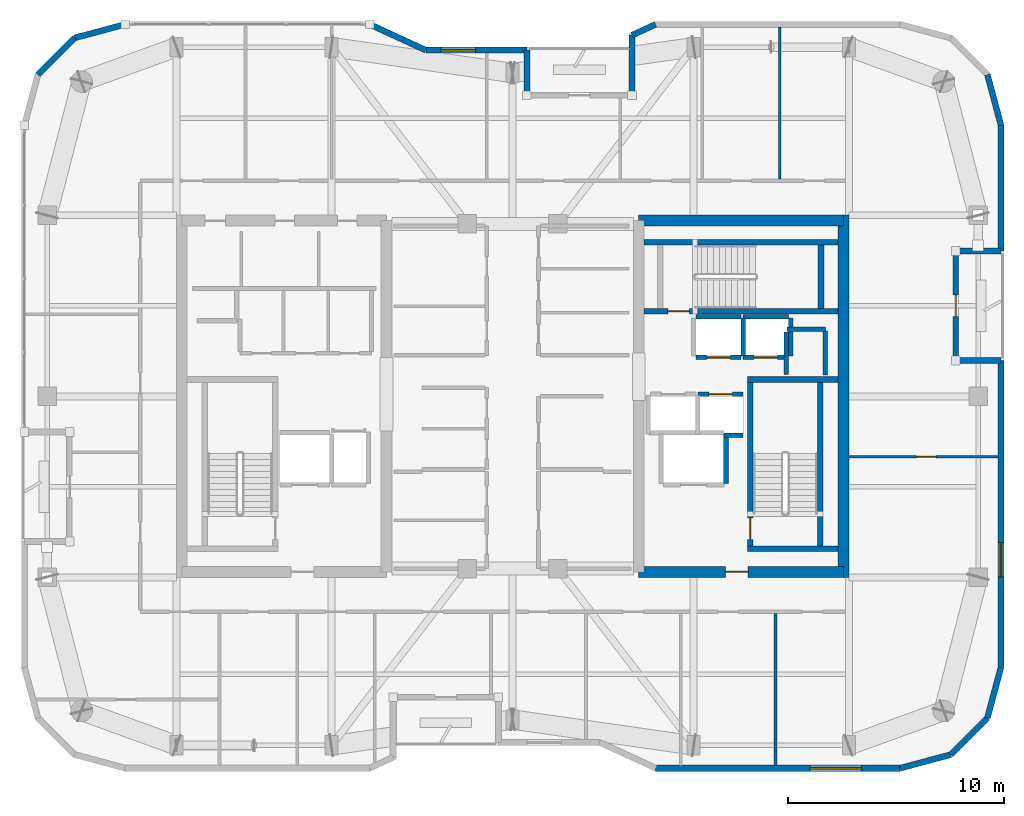
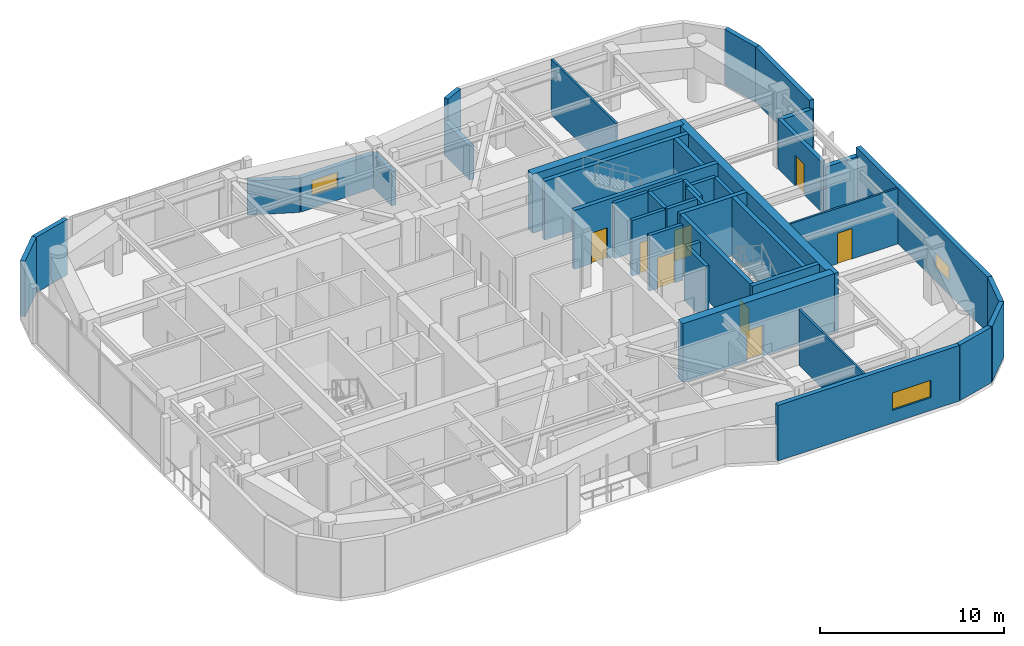
# One storey, part 13 of 16: 42 walls, 8 doors, 3 windows, 11 openings.
"""IFC4 building model written with IfcOpenShell, lengths in metres."""

from ifc_helpers import new_model, si_unit, direction, frame, frame_2d, origin, place, context, subcontext, project, spatial, rectangle, extrude, material, layer, layer_set, type_object, element, fill, save


model = new_model("IFC4")

# Units and contexts
model_context = context("Model", 3, precision=1e-05, world=origin(), true_north=direction((0.0, 1.0)))
body_context = subcontext(model_context, "Body", "Model", "MODEL_VIEW")
ifc_project = project(units=[si_unit("LENGTHUNIT", "METRE"), si_unit("AREAUNIT", "SQUARE_METRE"), si_unit("VOLUMEUNIT", "CUBIC_METRE"), si_unit("PLANEANGLEUNIT", "RADIAN"), si_unit("MASSUNIT", "GRAM", prefix="KILO")], contexts=[model_context])

# Site, building, storey
site_placement = place(None, origin())
site = spatial("IfcSite", under=ifc_project, at=site_placement, CompositionType="ELEMENT")
building_placement = place(site_placement, origin())
building = spatial("IfcBuilding", under=site, at=building_placement, Name="Kiyonajd Concourse Tower", CompositionType="ELEMENT")
storey_placement = place(building_placement, frame((0.0, 0.0, 306.300048828125)))
storey = spatial("IfcBuildingStorey", under=building, at=storey_placement, Name="L77", CompositionType="ELEMENT", Elevation=306.300048828125)

# Wall
ifc_material_1 = material(Name="Concrete C60/75", Category="concrete")
ifc_layer_1 = layer(ifc_material_1, 0.5)
ifc_layer_set_1 = layer_set([ifc_layer_1], Name="Concrete C60/75")
wall_type_1 = type_object("IfcWallType", Name="WL-CORE-500", PredefinedType="SHEAR", material=ifc_layer_set_1)
wall_1_placement = place(storey_placement, frame((63.35009765625, 27.60009765625, 0.0), z_axis=(0.0, 0.0, 1.0), x_axis=(0.0, 1.0, 0.0)))
element("IfcWall", 1, at=wall_1_placement, inside=storey, type_object=wall_type_1, Name="L77 East Core Outer Shear Wall", PredefinedType="SHEAR", context=body_context, shape_type="SweptSolid", body=[
    extrude(rectangle(XDim=16.7998046875, YDim=0.5, at=frame_2d((8.39990234375, 0.0))), origin(), (0.0, 0.0, 1.0), 3.89990234375),
])

# Wall, opening, door
wall_2_placement = place(storey_placement, frame((53.85009765625, 27.85009765625, 0.0), z_axis=(0.0, 0.0, 1.0), x_axis=(1.0, 0.0, 0.0)))
wall_2 = element("IfcWall", 2, at=wall_2_placement, inside=storey, type_object=wall_type_1, Name="L77 East Core South Shear Wall", PredefinedType="SHEAR", context=body_context, shape_type="SweptSolid", body=[
    extrude(rectangle(XDim=9.5, YDim=0.5, at=frame_2d((4.75, 0.0))), origin(), (0.0, 0.0, 1.0), 3.89990234375),
])
opening_1_placement = place(wall_2_placement, frame((4.02490234375, 0.0, 0.0)))
opening_1 = element("IfcOpeningElement", 3, at=opening_1_placement, cuts=wall_2, Name="Opening DF5", PredefinedType="OPENING", context=body_context, shape_type="SweptSolid", body=[
    extrude(rectangle(XDim=1.050048828125, YDim=2.0400390625, at=frame_2d((0.52490234375, 1.02001953125))), frame((0.0, 0.260009765625, 0.0), z_axis=(0.0, -1.0, 0.0), x_axis=(1.0, 0.0, 0.0)), (0.0, 0.0, 1.0), 0.52001953125),
])
ifc_material_2 = material(Name="Brushed Stainless Steel Cab Assembly", Category="steel")
door_type_1 = type_object("IfcDoorType", Name="DR-FD45-1050", OperationType="NOTDEFINED", PredefinedType="DOOR", material=ifc_material_2)
door_1_placement = place(opening_1_placement, origin())
door_1 = element("IfcDoor", 4, at=door_1_placement, inside=storey, type_object=door_type_1, Name="L77 Firefighting Lift Lobby E Smoke Door", OperationType="SINGLE_SWING_RIGHT", OverallHeight=2.0400390625, OverallWidth=1.050048828125, PredefinedType="DOOR", context=body_context, shape_type="SweptSolid", body=[
    extrude(rectangle(XDim=1.050048828125, YDim=2.0400390625, at=frame_2d((0.52490234375, 1.02001953125))), frame((0.0, 0.02490234375, 0.0), z_axis=(0.0, -1.0, 0.0), x_axis=(1.0, 0.0, 0.0)), (0.0, 0.0, 1.0), 0.050048828125),
])
fill(opening_1, door_1)

# Walls
wall_3_placement = place(storey_placement, frame((53.85009765625, 44.14990234375, 0.0), z_axis=(0.0, 0.0, 1.0), x_axis=(1.0, 0.0, 0.0)))
element("IfcWall", 5, at=wall_3_placement, inside=storey, type_object=wall_type_1, Name="L77 East Core North Shear Wall", PredefinedType="SHEAR", context=body_context, shape_type="SweptSolid", body=[
    extrude(rectangle(XDim=9.5, YDim=0.5, at=frame_2d((4.75, 0.0))), origin(), (0.0, 0.0, 1.0), 3.89990234375),
])
ifc_material_3 = material(Name="Precast concrete C50/60", Category="concrete")
ifc_layer_2 = layer(ifc_material_3, 0.280029296875)
ifc_layer_set_2 = layer_set([ifc_layer_2], Name="Precast concrete C50/60")
wall_type_2 = type_object("IfcWallType", Name="WL-EXT-280", PredefinedType="SOLIDWALL", material=ifc_layer_set_2)
wall_4_placement = place(storey_placement, frame((25.968505859375, 50.927490234375, 0.0), z_axis=(0.0, 0.0, 1.0), x_axis=(0.707106781187, 0.707106781187, 0.0)))
element("IfcWall", 6, at=wall_4_placement, inside=storey, type_object=wall_type_2, Name="L77 Exterior Concrete Frame Wall 07", PredefinedType="SOLIDWALL", context=body_context, shape_type="SweptSolid", body=[
    extrude(rectangle(XDim=2.409912109375, YDim=0.280029296875, at=frame_2d((1.205078125, 0.0))), origin(), (0.0, 0.0, 1.0), 3.679931640625),
])
wall_5_placement = place(storey_placement, frame((27.672607421875, 52.631591796875, 0.0), z_axis=(0.0, 0.0, 1.0), x_axis=(0.965937282298, 0.25877628691, 0.0)))
element("IfcWall", 7, at=wall_5_placement, inside=storey, type_object=wall_type_2, Name="L77 Exterior Concrete Frame Wall 08", PredefinedType="SOLIDWALL", context=body_context, shape_type="SweptSolid", body=[
    extrude(rectangle(XDim=2.428466796875, YDim=0.280029296875, at=frame_2d((1.21435546875, 0.0))), origin(), (0.0, 0.0, 1.0), 3.679931640625),
])
wall_6_placement = place(storey_placement, frame((41.369384765625, 53.260009765625, 0.0), z_axis=(0.0, 0.0, 1.0), x_axis=(0.907956889006, -0.419063584324, 0.0)))
element("IfcWall", 8, at=wall_6_placement, inside=storey, type_object=wall_type_2, Name="L77 Exterior Concrete Frame Wall 10", PredefinedType="SOLIDWALL", context=body_context, shape_type="SweptSolid", body=[
    extrude(rectangle(XDim=2.863525390625, YDim=0.280029296875, at=frame_2d((1.431640625, 0.0))), origin(), (0.0, 0.0, 1.0), 2.264892578125),
])

# Wall, opening, window
wall_7_placement = place(storey_placement, frame((43.96923828125, 52.06005859375, 0.0), z_axis=(0.0, 0.0, 1.0), x_axis=(1.0, 0.0, 0.0)))
wall_7 = element("IfcWall", 9, at=wall_7_placement, inside=storey, type_object=wall_type_2, Name="L77 Exterior Concrete Frame Wall 11", PredefinedType="SOLIDWALL", context=body_context, shape_type="SweptSolid", body=[
    extrude(rectangle(XDim=4.690673828125, YDim=0.280029296875, at=frame_2d((2.34521484375, 0.0))), origin(), (0.0, 0.0, 1.0), 2.264892578125),
])
opening_2_placement = place(wall_7_placement, frame((0.7099609375, 0.0, 0.85009765625)))
opening_2 = element("IfcOpeningElement", 10, at=opening_2_placement, cuts=wall_7, Name="Opening WN6", PredefinedType="OPENING", context=body_context, shape_type="SweptSolid", body=[
    extrude(rectangle(XDim=1.60009765625, YDim=1.0, at=frame_2d((0.800048828125, 0.5))), frame((0.0, 0.14990234375, 0.0), z_axis=(0.0, -1.0, 0.0), x_axis=(1.0, 0.0, 0.0)), (0.0, 0.0, 1.0), 0.300048828125),
])
ifc_material_4 = material(Name="Double Low-E Insulated Glass", Category="glass")
window_type_1 = type_object("IfcWindowType", Name="WN-VIS-1600x1000", PartitioningType="SINGLE_PANEL", PredefinedType="WINDOW", material=ifc_material_4)
window_1_placement = place(opening_2_placement, origin())
window_1 = element("IfcWindow", 11, at=window_1_placement, inside=storey, type_object=window_type_1, Name="L77 Modular Facade Vision Window 11", OverallHeight=1.0, OverallWidth=1.60009765625, PartitioningType="SINGLE_PANEL", PredefinedType="WINDOW", context=body_context, shape_type="SweptSolid", body=[
    extrude(rectangle(XDim=1.60009765625, YDim=1.0, at=frame_2d((0.800048828125, 0.5))), frame((0.0, 0.030029296875, 0.0), z_axis=(0.0, -1.0, 0.0), x_axis=(1.0, 0.0, 0.0)), (0.0, 0.0, 1.0), 0.06005859375),
])
fill(opening_2, window_1)

# Walls
wall_8_placement = place(storey_placement, frame((48.659912109375, 52.06005859375, 0.0), z_axis=(0.0, 0.0, 1.0), x_axis=(0.0, -1.0, 0.0)))
element("IfcWall", 12, at=wall_8_placement, inside=storey, type_object=wall_type_2, Name="L77 Exterior Concrete Frame Wall 12", PredefinedType="SOLIDWALL", context=body_context, shape_type="SweptSolid", body=[
    extrude(rectangle(XDim=2.10009765625, YDim=0.280029296875, at=frame_2d((1.050048828125, 0.0))), origin(), (0.0, 0.0, 1.0), 2.264892578125),
])
wall_9_placement = place(storey_placement, frame((53.5400390625, 49.9599609375, 0.0), z_axis=(0.0, 0.0, 1.0), x_axis=(0.0, 1.0, 0.0)))
element("IfcWall", 13, at=wall_9_placement, inside=storey, type_object=wall_type_2, Name="L77 Exterior Concrete Frame Wall 14", PredefinedType="SOLIDWALL", context=body_context, shape_type="SweptSolid", body=[
    extrude(rectangle(XDim=2.79638671875, YDim=0.280029296875, at=frame_2d((1.398193359375, 0.0))), origin(), (0.0, 0.0, 1.0), 2.264892578125),
])
wall_10_placement = place(storey_placement, frame((53.5400390625, 52.75634765625, 0.0), z_axis=(0.0, 0.0, 1.0), x_axis=(0.907893953211, 0.419199916176, 0.0)))
element("IfcWall", 14, at=wall_10_placement, inside=storey, type_object=wall_type_2, Name="L77 Exterior Concrete Frame Wall 15", PredefinedType="SOLIDWALL", context=body_context, shape_type="SweptSolid", body=[
    extrude(rectangle(XDim=1.201416015625, YDim=0.280029296875, at=frame_2d((0.6005859375, 0.0))), origin(), (0.0, 0.0, 1.0), 3.679931640625),
])
wall_11_placement = place(storey_placement, frame((70.031494140625, 50.927490234375, 0.0), z_axis=(0.0, 0.0, 1.0), x_axis=(0.258751159445, -0.965944013639, 0.0)))
element("IfcWall", 15, at=wall_11_placement, inside=storey, type_object=wall_type_2, Name="L77 Exterior Concrete Frame Wall 19", PredefinedType="SOLIDWALL", context=body_context, shape_type="SweptSolid", body=[
    extrude(rectangle(XDim=2.4287109375, YDim=0.280029296875, at=frame_2d((1.21435546875, 0.0))), origin(), (0.0, 0.0, 1.0), 3.679931640625),
])
wall_12_placement = place(storey_placement, frame((70.659912109375, 48.58154296875, 0.0), z_axis=(0.0, 0.0, 1.0), x_axis=(0.0, -1.0, 0.0)))
element("IfcWall", 16, at=wall_12_placement, inside=storey, type_object=wall_type_2, Name="L77 Exterior Concrete Frame Wall 20", PredefinedType="SOLIDWALL", context=body_context, shape_type="SweptSolid", body=[
    extrude(rectangle(XDim=5.841552734375, YDim=0.280029296875, at=frame_2d((2.9208984375, 0.0))), origin(), (0.0, 0.0, 1.0), 3.679931640625),
])
for number, where, z_axis, x_axis, name in (
    (17, (70.659912109375, 42.739990234375, 0.0), (0.0, 0.0, 1.0), (-1.0, 0.0, 0.0), "L77 Exterior Concrete Frame Wall 21"),
    (18, (68.56005859375, 37.659912109375, 0.0), (0.0, 0.0, 1.0), (1.0, 0.0, 0.0), "L77 Exterior Concrete Frame Wall 23"),
):
    element("IfcWall", number, at=place(storey_placement, frame(where, z_axis=z_axis, x_axis=x_axis)), inside=storey, type_object=wall_type_2, Name=name, PredefinedType="SOLIDWALL", context=body_context, shape_type="SweptSolid", body=[
        extrude(rectangle(XDim=2.099853515625, YDim=0.280029296875, at=frame_2d((1.0498046875, 0.0))), origin(), (0.0, 0.0, 1.0), 3.1259765625),
    ])

# Wall, opening, window
wall_13_placement = place(storey_placement, frame((70.659912109375, 37.659912109375, 0.0), z_axis=(0.0, 0.0, 1.0), x_axis=(0.0, -1.0, 0.0)))
wall_13 = element("IfcWall", 19, at=wall_13_placement, inside=storey, type_object=wall_type_2, Name="L77 Exterior Concrete Frame Wall 24", PredefinedType="SOLIDWALL", context=body_context, shape_type="SweptSolid", body=[
    extrude(rectangle(XDim=14.241455078125, YDim=0.280029296875, at=frame_2d((7.12060546875, 0.0))), origin(), (0.0, 0.0, 1.0), 3.679931640625),
])
opening_3_placement = place(wall_13_placement, frame((8.4560546875, 0.0, 0.85009765625)))
opening_3 = element("IfcOpeningElement", 20, at=opening_3_placement, cuts=wall_13, Name="Opening WN6", PredefinedType="OPENING", context=body_context, shape_type="SweptSolid", body=[
    extrude(rectangle(XDim=1.60009765625, YDim=1.0, at=frame_2d((0.800048828125, 0.5))), frame((0.0, 0.14990234375, 0.0), z_axis=(0.0, -1.0, 0.0), x_axis=(1.0, 0.0, 0.0)), (0.0, 0.0, 1.0), 0.300048828125),
])
window_2_placement = place(opening_3_placement, origin())
window_2 = element("IfcWindow", 21, at=window_2_placement, inside=storey, type_object=window_type_1, Name="L77 Modular Facade Vision Window 24", OverallHeight=1.0, OverallWidth=1.60009765625, PartitioningType="SINGLE_PANEL", PredefinedType="WINDOW", context=body_context, shape_type="SweptSolid", body=[
    extrude(rectangle(XDim=1.60009765625, YDim=1.0, at=frame_2d((0.800048828125, 0.5))), frame((0.0, 0.030029296875, 0.0), z_axis=(0.0, -1.0, 0.0), x_axis=(1.0, 0.0, 0.0)), (0.0, 0.0, 1.0), 0.06005859375),
])
fill(opening_3, window_2)

# Walls
wall_14_placement = place(storey_placement, frame((70.659912109375, 23.41845703125, 0.0), z_axis=(0.0, 0.0, 1.0), x_axis=(-0.258751159445, -0.965944013639, 0.0)))
element("IfcWall", 22, at=wall_14_placement, inside=storey, type_object=wall_type_2, Name="L77 Exterior Concrete Frame Wall 25", PredefinedType="SOLIDWALL", context=body_context, shape_type="SweptSolid", body=[
    extrude(rectangle(XDim=2.4287109375, YDim=0.280029296875, at=frame_2d((1.21435546875, 0.0))), origin(), (0.0, 0.0, 1.0), 3.679931640625),
])
wall_15_placement = place(storey_placement, frame((70.031494140625, 21.072509765625, 0.0), z_axis=(0.0, 0.0, 1.0), x_axis=(-0.707106781187, -0.707106781187, 0.0)))
element("IfcWall", 23, at=wall_15_placement, inside=storey, type_object=wall_type_2, Name="L77 Exterior Concrete Frame Wall 26", PredefinedType="SOLIDWALL", context=body_context, shape_type="SweptSolid", body=[
    extrude(rectangle(XDim=2.409912109375, YDim=0.280029296875, at=frame_2d((1.205078125, 0.0))), origin(), (0.0, 0.0, 1.0), 3.679931640625),
])
wall_16_placement = place(storey_placement, frame((68.327392578125, 19.368408203125, 0.0), z_axis=(0.0, 0.0, 1.0), x_axis=(-0.965937282298, -0.25877628691, 0.0)))
element("IfcWall", 24, at=wall_16_placement, inside=storey, type_object=wall_type_2, Name="L77 Exterior Concrete Frame Wall 27", PredefinedType="SOLIDWALL", context=body_context, shape_type="SweptSolid", body=[
    extrude(rectangle(XDim=2.428466796875, YDim=0.280029296875, at=frame_2d((1.21435546875, 0.0))), origin(), (0.0, 0.0, 1.0), 3.679931640625),
])

# Wall, opening, window
wall_17_placement = place(storey_placement, frame((65.981689453125, 18.739990234375, 0.0), z_axis=(0.0, 0.0, 1.0), x_axis=(-1.0, 0.0, 0.0)))
wall_17 = element("IfcWall", 25, at=wall_17_placement, inside=storey, type_object=wall_type_2, Name="L77 Exterior Concrete Frame Wall 28", PredefinedType="SOLIDWALL", context=body_context, shape_type="SweptSolid", body=[
    extrude(rectangle(XDim=11.35107421875, YDim=0.280029296875, at=frame_2d((5.675537109375, 0.0))), origin(), (0.0, 0.0, 1.0), 3.679931640625),
])
opening_4_placement = place(wall_17_placement, frame((1.785888671875, 0.0, 0.85009765625)))
opening_4 = element("IfcOpeningElement", 26, at=opening_4_placement, cuts=wall_17, Name="Opening WN4", PredefinedType="OPENING", context=body_context, shape_type="SweptSolid", body=[
    extrude(rectangle(XDim=2.39990234375, YDim=1.14990234375, at=frame_2d((1.199951171875, 0.574951171875))), frame((0.0, 0.14990234375, 0.0), z_axis=(0.0, -1.0, 0.0), x_axis=(1.0, 0.0, 0.0)), (0.0, 0.0, 1.0), 0.300048828125),
])
window_type_2 = type_object("IfcWindowType", Name="WN-VIS-2400x1150", PartitioningType="SINGLE_PANEL", PredefinedType="WINDOW", material=ifc_material_4)
window_3_placement = place(opening_4_placement, origin())
window_3 = element("IfcWindow", 27, at=window_3_placement, inside=storey, type_object=window_type_2, Name="L77 Modular Facade Vision Window 28", OverallHeight=1.14990234375, OverallWidth=2.39990234375, PartitioningType="SINGLE_PANEL", PredefinedType="WINDOW", context=body_context, shape_type="SweptSolid", body=[
    extrude(rectangle(XDim=2.39990234375, YDim=1.14990234375, at=frame_2d((1.199951171875, 0.574951171875))), frame((0.0, 0.030029296875, 0.0), z_axis=(0.0, -1.0, 0.0), x_axis=(1.0, 0.0, 0.0)), (0.0, 0.0, 1.0), 0.06005859375),
])
fill(opening_4, window_3)

# Wall, opening, door
ifc_layer_3 = layer(ifc_material_3, 0.239990234375)
ifc_layer_set_3 = layer_set([ifc_layer_3], Name="Precast concrete C50/60")
wall_type_3 = type_object("IfcWallType", Name="WL-LOG-240", PredefinedType="SOLIDWALL", material=ifc_layer_set_3)
wall_18_placement = place(storey_placement, frame((68.56005859375, 42.544921875, 0.0), z_axis=(0.0, 0.0, 1.0), x_axis=(0.0, -1.0, 0.0)))
wall_18 = element("IfcWall", 28, at=wall_18_placement, inside=storey, type_object=wall_type_3, Name="L77 Recessed Loggia Thermal Wall LOG-E", PredefinedType="SOLIDWALL", context=body_context, shape_type="SweptSolid", body=[
    extrude(rectangle(XDim=4.68994140625, YDim=0.239990234375, at=frame_2d((2.344970703125, 0.0))), origin(), (0.0, 0.0, 1.0), 3.31103515625),
])
opening_5_placement = place(wall_18_placement, frame((1.844970703125, 0.0, 0.0)))
opening_5 = element("IfcOpeningElement", 29, at=opening_5_placement, cuts=wall_18, Name="Opening DL1", PredefinedType="OPENING", context=body_context, shape_type="SweptSolid", body=[
    extrude(rectangle(XDim=1.0, YDim=2.02001953125, at=frame_2d((0.5, 1.010009765625))), frame((0.0, 0.1298828125, 0.0), z_axis=(0.0, -1.0, 0.0), x_axis=(1.0, 0.0, 0.0)), (0.0, 0.0, 1.0), 0.260009765625),
])
ifc_material_5 = material(Name="Thermally Broken Anodised Aluminium", Category="aluminium")
door_type_2 = type_object("IfcDoorType", Name="DR-LOG-1000", OperationType="NOTDEFINED", PredefinedType="DOOR", material=ifc_material_5)
door_2_placement = place(opening_5_placement, origin())
door_2 = element("IfcDoor", 30, at=door_2_placement, inside=storey, type_object=door_type_2, Name="L77 Engawa Loggia Access Door LOG-E", OperationType="SINGLE_SWING_LEFT", OverallHeight=2.02001953125, OverallWidth=1.0, PredefinedType="DOOR", context=body_context, shape_type="SweptSolid", body=[
    extrude(rectangle(XDim=1.0, YDim=2.02001953125, at=frame_2d((0.5, 1.010009765625))), frame((0.0, 0.02490234375, 0.0), z_axis=(0.0, -1.0, 0.0), x_axis=(1.0, 0.0, 0.0)), (0.0, 0.0, 1.0), 0.050048828125),
])
fill(opening_5, door_2)

# Walls
ifc_material_6 = material(Name="Gypsum Board on Cold-Formed Steel Stud", Category="steel")
ifc_layer_4 = layer(ifc_material_6, 0.125)
ifc_layer_set_4 = layer_set([ifc_layer_4], Name="Gypsum Board on Cold-Formed Steel Stud")
wall_type_4 = type_object("IfcWallType", Name="WL-PART-125", PredefinedType="PARTITIONING", material=ifc_layer_set_4)
for number, where, z_axis, x_axis, name in (
    (31, (60.199951171875, 18.875, 0.0), (0.0, 0.0, 1.0), (0.0, 1.0, 0.0), "L77 Interior Partition Wall"),
    (32, (60.39990234375, 46.0869140625, 0.0), (0.0, 0.0, 1.0), (0.0, 1.0, 0.0), "L77 Interior Partition Wall"),
):
    element("IfcWall", number, at=place(storey_placement, frame(where, z_axis=z_axis, x_axis=x_axis)), inside=storey, type_object=wall_type_4, Name=name, PredefinedType="PARTITIONING", context=body_context, shape_type="SweptSolid", body=[
        extrude(rectangle(XDim=7.0380859375, YDim=0.125, at=frame_2d((3.51904296875, 0.0))), origin(), (0.0, 0.0, 1.0), 3.679931640625),
    ])

# Wall, opening, door
wall_19_placement = place(storey_placement, frame((63.60009765625, 33.199951171875, 0.0), z_axis=(0.0, 0.0, 1.0), x_axis=(1.0, 0.0, 0.0)))
wall_19 = element("IfcWall", 33, at=wall_19_placement, inside=storey, type_object=wall_type_4, Name="L77 Interior Partition Wall", PredefinedType="PARTITIONING", context=body_context, shape_type="SweptSolid", body=[
    extrude(rectangle(XDim=6.9248046875, YDim=0.125, at=frame_2d((3.46240234375, 0.0))), origin(), (0.0, 0.0, 1.0), 3.679931640625),
])
opening_6_placement = place(wall_19_placement, frame((3.14990234375, 0.0, 0.0)))
opening_6 = element("IfcOpeningElement", 34, at=opening_6_placement, cuts=wall_19, Name="Opening DI2", PredefinedType="OPENING", context=body_context, shape_type="SweptSolid", body=[
    extrude(rectangle(XDim=0.89990234375, YDim=2.02001953125, at=frame_2d((0.449951171875, 1.010009765625))), frame((0.0, 0.072509765625, 0.0), z_axis=(0.0, -1.0, 0.0), x_axis=(1.0, 0.0, 0.0)), (0.0, 0.0, 1.0), 0.14501953125),
])
ifc_material_7 = material(Name="Natural Oak Acoustic Timber Veneer", Category="wood")
door_type_3 = type_object("IfcDoorType", Name="DR-INT-900", OperationType="NOTDEFINED", PredefinedType="DOOR", material=ifc_material_7)
door_3_placement = place(opening_6_placement, origin())
door_3 = element("IfcDoor", 35, at=door_3_placement, inside=storey, type_object=door_type_3, Name="L77 Interior Door", OperationType="SINGLE_SWING_RIGHT", OverallHeight=2.02001953125, OverallWidth=0.89990234375, PredefinedType="DOOR", context=body_context, shape_type="SweptSolid", body=[
    extrude(rectangle(XDim=0.89990234375, YDim=2.02001953125, at=frame_2d((0.449951171875, 1.010009765625))), frame((0.0, 0.02490234375, 0.0), z_axis=(0.0, -1.0, 0.0), x_axis=(1.0, 0.0, 0.0)), (0.0, 0.0, 1.0), 0.050048828125),
])
fill(opening_6, door_3)

# Walls
ifc_layer_5 = layer(ifc_material_6, 0.2099609375)
ifc_layer_set_5 = layer_set([ifc_layer_5], Name="Gypsum Board on Cold-Formed Steel Stud")
wall_type_5 = type_object("IfcWallType", Name="WL-SHAFT-210", PredefinedType="PARTITIONING", material=ifc_layer_set_5)
wall_20_placement = place(storey_placement, frame((60.719970703125, 39.10009765625, 0.0), z_axis=(0.0, 0.0, 1.0), x_axis=(1.0, 0.0, 0.0)))
element("IfcWall", 36, at=wall_20_placement, inside=storey, type_object=wall_type_5, Name="L77 Shaft Enclosure Wall", PredefinedType="PARTITIONING", context=body_context, shape_type="SweptSolid", body=[
    extrude(rectangle(XDim=1.800048828125, YDim=0.2099609375, at=frame_2d((0.89990234375, 0.0))), origin(), (0.0, 0.0, 1.0), 3.679931640625),
])
wall_21_placement = place(storey_placement, frame((60.699951171875, 37.02001953125, 0.0), z_axis=(0.0, 0.0, 1.0), x_axis=(0.0, 1.0, 0.0)))
element("IfcWall", 37, at=wall_21_placement, inside=storey, type_object=wall_type_5, Name="L77 Shaft Enclosure Wall", PredefinedType="PARTITIONING", context=body_context, shape_type="SweptSolid", body=[
    extrude(rectangle(XDim=1.9599609375, YDim=0.2099609375, at=frame_2d((0.97998046875, 0.0))), origin(), (0.0, 0.0, 1.0), 3.679931640625),
])
wall_22_placement = place(storey_placement, frame((62.5, 36.97998046875, 0.0), z_axis=(0.0, 0.0, 1.0), x_axis=(0.0, 1.0, 0.0)))
element("IfcWall", 38, at=wall_22_placement, inside=storey, type_object=wall_type_5, Name="L77 Shaft Enclosure Wall", PredefinedType="PARTITIONING", context=body_context, shape_type="SweptSolid", body=[
    extrude(rectangle(XDim=2.0400390625, YDim=0.2099609375, at=frame_2d((1.02001953125, 0.0))), origin(), (0.0, 0.0, 1.0), 3.679931640625),
])
wall_23_placement = place(storey_placement, frame((57.89990234375, 31.9599609375, 0.0), z_axis=(0.0, 0.0, 1.0), x_axis=(0.0, 1.0, 0.0)))
element("IfcWall", 39, at=wall_23_placement, inside=storey, type_object=wall_type_5, Name="L77 Shaft Enclosure Wall", PredefinedType="PARTITIONING", context=body_context, shape_type="SweptSolid", body=[
    extrude(rectangle(XDim=2.280029296875, YDim=0.2099609375, at=frame_2d((1.14013671875, 0.0))), origin(), (0.0, 0.0, 1.0), 3.679931640625),
])

# Wall, opening, door
wall_24_placement = place(storey_placement, frame((56.60009765625, 36.10009765625, 0.0), z_axis=(0.0, 0.0, 1.0), x_axis=(1.0, 0.0, 0.0)))
wall_24 = element("IfcWall", 40, at=wall_24_placement, inside=storey, type_object=wall_type_5, Name="L77 Shaft Enclosure Wall", PredefinedType="PARTITIONING", context=body_context, shape_type="SweptSolid", body=[
    extrude(rectangle(XDim=2.099853515625, YDim=0.2099609375, at=frame_2d((1.0498046875, 0.0))), origin(), (0.0, 0.0, 1.0), 3.679931640625),
])
opening_7_placement = place(wall_24_placement, frame((0.5, 0.0, 0.0)))
opening_7 = element("IfcOpeningElement", 41, at=opening_7_placement, cuts=wall_24, Name="Opening LD1", PredefinedType="OPENING", context=body_context, shape_type="SweptSolid", body=[
    extrude(rectangle(XDim=1.10009765625, YDim=2.0400390625, at=frame_2d((0.550048828125, 1.02001953125))), frame((0.0, 0.114990234375, 0.0), z_axis=(0.0, -1.0, 0.0), x_axis=(1.0, 0.0, 0.0)), (0.0, 0.0, 1.0), 0.22998046875),
])
door_type_4 = type_object("IfcDoorType", Name="DR-LD-1100", OperationType="DOUBLE_DOOR_SLIDING", PredefinedType="DOOR", material=ifc_material_2)
door_4_placement = place(opening_7_placement, origin())
door_4 = element("IfcDoor", 42, at=door_4_placement, inside=storey, type_object=door_type_4, Name="L77 Lift PL-H2 Sliding Landing Door", OperationType="DOUBLE_DOOR_SLIDING", OverallHeight=2.0400390625, OverallWidth=1.10009765625, PredefinedType="DOOR", context=body_context, shape_type="SweptSolid", body=[
    extrude(rectangle(XDim=1.10009765625, YDim=2.0400390625, at=frame_2d((0.550048828125, 1.02001953125))), frame((0.0, 0.02490234375, 0.0), z_axis=(0.0, -1.0, 0.0), x_axis=(1.0, 0.0, 0.0)), (0.0, 0.0, 1.0), 0.050048828125),
])
fill(opening_7, door_4)

# Wall
wall_25_placement = place(storey_placement, frame((57.800048828125, 34.199951171875, 0.0), z_axis=(0.0, 0.0, 1.0), x_axis=(1.0, 0.0, 0.0)))
element("IfcWall", 43, at=wall_25_placement, inside=storey, type_object=wall_type_5, Name="L77 Shaft Enclosure Wall", PredefinedType="PARTITIONING", context=body_context, shape_type="SweptSolid", body=[
    extrude(rectangle(XDim=0.89990234375, YDim=0.2099609375, at=frame_2d((0.449951171875, 0.0))), origin(), (0.0, 0.0, 1.0), 3.679931640625),
])

# Wall, opening, door
wall_26_placement = place(storey_placement, frame((56.5, 37.800048828125, 0.0), z_axis=(0.0, 0.0, 1.0), x_axis=(1.0, 0.0, 0.0)))
wall_26 = element("IfcWall", 44, at=wall_26_placement, inside=storey, type_object=wall_type_5, Name="L77 Shaft Enclosure Wall", PredefinedType="PARTITIONING", context=body_context, shape_type="SweptSolid", body=[
    extrude(rectangle(XDim=2.10009765625, YDim=0.2099609375, at=frame_2d((1.050048828125, 0.0))), origin(), (0.0, 0.0, 1.0), 3.679931640625),
])
opening_8_placement = place(wall_26_placement, frame((0.5, 0.0, 0.0)))
opening_8 = element("IfcOpeningElement", 45, at=opening_8_placement, cuts=wall_26, Name="Opening LD1", PredefinedType="OPENING", context=body_context, shape_type="SweptSolid", body=[
    extrude(rectangle(XDim=1.10009765625, YDim=2.0400390625, at=frame_2d((0.550048828125, 1.02001953125))), frame((0.0, 0.114990234375, 0.0), z_axis=(0.0, -1.0, 0.0), x_axis=(1.0, 0.0, 0.0)), (0.0, 0.0, 1.0), 0.22998046875),
])
door_5_placement = place(opening_8_placement, origin())
door_5 = element("IfcDoor", 46, at=door_5_placement, inside=storey, type_object=door_type_4, Name="L77 Lift PL-H3 Sliding Landing Door", OperationType="DOUBLE_DOOR_SLIDING", OverallHeight=2.0400390625, OverallWidth=1.10009765625, PredefinedType="DOOR", context=body_context, shape_type="SweptSolid", body=[
    extrude(rectangle(XDim=1.10009765625, YDim=2.0400390625, at=frame_2d((0.550048828125, 1.02001953125))), frame((0.0, 0.02490234375, 0.0), z_axis=(0.0, -1.0, 0.0), x_axis=(1.0, 0.0, 0.0)), (0.0, 0.0, 1.0), 0.050048828125),
])
fill(opening_8, door_5)

# Walls
wall_27_placement = place(storey_placement, frame((56.5, 39.699951171875, 0.0), z_axis=(0.0, 0.0, 1.0), x_axis=(1.0, 0.0, 0.0)))
element("IfcWall", 47, at=wall_27_placement, inside=storey, type_object=wall_type_5, Name="L77 Shaft Enclosure Wall", PredefinedType="PARTITIONING", context=body_context, shape_type="SweptSolid", body=[
    extrude(rectangle(XDim=2.10009765625, YDim=0.2099609375, at=frame_2d((1.050048828125, 0.0))), origin(), (0.0, 0.0, 1.0), 3.679931640625),
])
wall_28_placement = place(storey_placement, frame((58.699951171875, 37.860107421875, 0.0), z_axis=(0.0, 0.0, 1.0), x_axis=(0.0, 1.0, 0.0)))
element("IfcWall", 48, at=wall_28_placement, inside=storey, type_object=wall_type_5, Name="L77 Shaft Enclosure Wall", PredefinedType="PARTITIONING", context=body_context, shape_type="SweptSolid", body=[
    extrude(rectangle(XDim=1.77978515625, YDim=0.2099609375, at=frame_2d((0.889892578125, 0.0))), origin(), (0.0, 0.0, 1.0), 3.679931640625),
])

# Wall, opening, door
wall_29_placement = place(storey_placement, frame((58.699951171875, 37.800048828125, 0.0), z_axis=(0.0, 0.0, 1.0), x_axis=(1.0, 0.0, 0.0)))
wall_29 = element("IfcWall", 49, at=wall_29_placement, inside=storey, type_object=wall_type_5, Name="L77 Shaft Enclosure Wall", PredefinedType="PARTITIONING", context=body_context, shape_type="SweptSolid", body=[
    extrude(rectangle(XDim=2.10009765625, YDim=0.2099609375, at=frame_2d((1.050048828125, 0.0))), origin(), (0.0, 0.0, 1.0), 3.679931640625),
])
opening_9_placement = place(wall_29_placement, frame((0.5, 0.0, 0.0)))
opening_9 = element("IfcOpeningElement", 50, at=opening_9_placement, cuts=wall_29, Name="Opening LD1", PredefinedType="OPENING", context=body_context, shape_type="SweptSolid", body=[
    extrude(rectangle(XDim=1.10009765625, YDim=2.0400390625, at=frame_2d((0.550048828125, 1.02001953125))), frame((0.0, 0.114990234375, 0.0), z_axis=(0.0, -1.0, 0.0), x_axis=(1.0, 0.0, 0.0)), (0.0, 0.0, 1.0), 0.22998046875),
])
door_6_placement = place(opening_9_placement, origin())
door_6 = element("IfcDoor", 51, at=door_6_placement, inside=storey, type_object=door_type_4, Name="L77 Lift PL-H4 Sliding Landing Door", OperationType="DOUBLE_DOOR_SLIDING", OverallHeight=2.0400390625, OverallWidth=1.10009765625, PredefinedType="DOOR", context=body_context, shape_type="SweptSolid", body=[
    extrude(rectangle(XDim=1.10009765625, YDim=2.0400390625, at=frame_2d((0.550048828125, 1.02001953125))), frame((0.0, 0.02490234375, 0.0), z_axis=(0.0, -1.0, 0.0), x_axis=(1.0, 0.0, 0.0)), (0.0, 0.0, 1.0), 0.050048828125),
])
fill(opening_9, door_6)

# Walls
wall_30_placement = place(storey_placement, frame((58.699951171875, 39.699951171875, 0.0), z_axis=(0.0, 0.0, 1.0), x_axis=(1.0, 0.0, 0.0)))
element("IfcWall", 52, at=wall_30_placement, inside=storey, type_object=wall_type_5, Name="L77 Shaft Enclosure Wall", PredefinedType="PARTITIONING", context=body_context, shape_type="SweptSolid", body=[
    extrude(rectangle(XDim=2.10009765625, YDim=0.2099609375, at=frame_2d((1.050048828125, 0.0))), origin(), (0.0, 0.0, 1.0), 3.679931640625),
])
wall_31_placement = place(storey_placement, frame((60.89990234375, 37.860107421875, 0.0), z_axis=(0.0, 0.0, 1.0), x_axis=(0.0, 1.0, 0.0)))
element("IfcWall", 53, at=wall_31_placement, inside=storey, type_object=wall_type_5, Name="L77 Shaft Enclosure Wall", PredefinedType="PARTITIONING", context=body_context, shape_type="SweptSolid", body=[
    extrude(rectangle(XDim=1.77978515625, YDim=0.2099609375, at=frame_2d((0.889892578125, 0.0))), origin(), (0.0, 0.0, 1.0), 3.679931640625),
])
ifc_material_8 = material(Name="Concrete C50/60", Category="concrete")
ifc_layer_6 = layer(ifc_material_8, 0.260009765625)
ifc_layer_set_6 = layer_set([ifc_layer_6], Name="Concrete C50/60")
wall_type_6 = type_object("IfcWallType", Name="WL-STAIR-260", PredefinedType="SHEAR", material=ifc_layer_set_6)
for number, where, z_axis, x_axis, name in (
    (54, (58.889892578125, 28.919921875, 0.0), (0.0, 0.0, 1.0), (1.0, 0.0, 0.0), "L77 Stair ST2 Structural South Wall"),
    (55, (58.889892578125, 36.780029296875, 0.0), (0.0, 0.0, 1.0), (1.0, 0.0, 0.0), "L77 Stair ST2 Structural North Wall"),
):
    element("IfcWall", number, at=place(storey_placement, frame(where, z_axis=z_axis, x_axis=x_axis)), inside=storey, type_object=wall_type_6, Name=name, PredefinedType="SHEAR", context=body_context, shape_type="SweptSolid", body=[
        extrude(rectangle(XDim=4.210205078125, YDim=0.260009765625, at=frame_2d((2.10498046875, 0.0))), origin(), (0.0, 0.0, 1.0), 3.89990234375),
    ])

# Wall, opening, door
wall_32_placement = place(storey_placement, frame((59.02001953125, 29.050048828125, 0.0), z_axis=(0.0, 0.0, 1.0), x_axis=(0.0, 1.0, 0.0)))
wall_32 = element("IfcWall", 56, at=wall_32_placement, inside=storey, type_object=wall_type_6, Name="L77 Stair ST2 Structural West Wall", PredefinedType="SHEAR", context=body_context, shape_type="SweptSolid", body=[
    extrude(rectangle(XDim=7.599853515625, YDim=0.260009765625, at=frame_2d((3.7998046875, 0.0))), origin(), (0.0, 0.0, 1.0), 3.89990234375),
])
opening_10_placement = place(wall_32_placement, frame((0.300048828125, 0.0, 0.0)))
opening_10 = element("IfcOpeningElement", 57, at=opening_10_placement, cuts=wall_32, Name="Opening DF1", PredefinedType="OPENING", context=body_context, shape_type="SweptSolid", body=[
    extrude(rectangle(XDim=1.0, YDim=2.0400390625, at=frame_2d((0.5, 1.02001953125))), frame((0.0, 0.139892578125, 0.0), z_axis=(0.0, -1.0, 0.0), x_axis=(1.0, 0.0, 0.0)), (0.0, 0.0, 1.0), 0.280029296875),
])
door_type_5 = type_object("IfcDoorType", Name="DR-FD90-1000", OperationType="NOTDEFINED", PredefinedType="DOOR", material=ifc_material_2)
door_7_placement = place(opening_10_placement, origin())
door_7 = element("IfcDoor", 58, at=door_7_placement, inside=storey, type_object=door_type_5, Name="L77 Stair ST2 FSAE Door", OperationType="SINGLE_SWING_RIGHT", OverallHeight=2.0400390625, OverallWidth=1.0, PredefinedType="DOOR", context=body_context, shape_type="SweptSolid", body=[
    extrude(rectangle(XDim=1.0, YDim=2.0400390625, at=frame_2d((0.5, 1.02001953125))), frame((0.0, 0.02490234375, 0.0), z_axis=(0.0, -1.0, 0.0), x_axis=(1.0, 0.0, 0.0)), (0.0, 0.0, 1.0), 0.050048828125),
])
fill(opening_10, door_7)

# Wall
wall_33_placement = place(storey_placement, frame((62.280029296875, 29.050048828125, 0.0), z_axis=(0.0, 0.0, 1.0), x_axis=(0.0, 1.0, 0.0)))
element("IfcWall", 59, at=wall_33_placement, inside=storey, type_object=wall_type_6, Name="L77 Stair ST2 Structural East Wall", PredefinedType="SHEAR", context=body_context, shape_type="SweptSolid", body=[
    extrude(rectangle(XDim=7.599853515625, YDim=0.260009765625, at=frame_2d((3.7998046875, 0.0))), origin(), (0.0, 0.0, 1.0), 3.89990234375),
])

# Wall, opening, door
wall_34_placement = place(storey_placement, frame((54.10009765625, 39.949951171875, 0.0), z_axis=(0.0, 0.0, 1.0), x_axis=(1.0, 0.0, 0.0)))
wall_34 = element("IfcWall", 60, at=wall_34_placement, inside=storey, type_object=wall_type_6, Name="L77 Stair ST3 Structural South Wall", PredefinedType="SHEAR", context=body_context, shape_type="SweptSolid", body=[
    extrude(rectangle(XDim=9.0, YDim=0.260009765625, at=frame_2d((4.5, 0.0))), origin(), (0.0, 0.0, 1.0), 3.89990234375),
])
opening_11_placement = place(wall_34_placement, frame((1.10009765625, 0.0, 0.0)))
opening_11 = element("IfcOpeningElement", 61, at=opening_11_placement, cuts=wall_34, Name="Opening DF1", PredefinedType="OPENING", context=body_context, shape_type="SweptSolid", body=[
    extrude(rectangle(XDim=1.0, YDim=2.0400390625, at=frame_2d((0.5, 1.02001953125))), frame((0.0, 0.139892578125, 0.0), z_axis=(0.0, -1.0, 0.0), x_axis=(1.0, 0.0, 0.0)), (0.0, 0.0, 1.0), 0.280029296875),
])
door_8_placement = place(opening_11_placement, origin())
door_8 = element("IfcDoor", 62, at=door_8_placement, inside=storey, type_object=door_type_5, Name="L77 Stair ST3 Enclosure Door", OperationType="SINGLE_SWING_LEFT", OverallHeight=2.0400390625, OverallWidth=1.0, PredefinedType="DOOR", context=body_context, shape_type="SweptSolid", body=[
    extrude(rectangle(XDim=1.0, YDim=2.0400390625, at=frame_2d((0.5, 1.02001953125))), frame((0.0, 0.02490234375, 0.0), z_axis=(0.0, -1.0, 0.0), x_axis=(1.0, 0.0, 0.0)), (0.0, 0.0, 1.0), 0.050048828125),
])
fill(opening_11, door_8)

# Walls
wall_35_placement = place(storey_placement, frame((54.10009765625, 43.14990234375, 0.0), z_axis=(0.0, 0.0, 1.0), x_axis=(1.0, 0.0, 0.0)))
element("IfcWall", 63, at=wall_35_placement, inside=storey, type_object=wall_type_6, Name="L77 Stair ST3 Structural North Wall", PredefinedType="SHEAR", context=body_context, shape_type="SweptSolid", body=[
    extrude(rectangle(XDim=9.0, YDim=0.260009765625, at=frame_2d((4.5, 0.0))), origin(), (0.0, 0.0, 1.0), 3.89990234375),
])
wall_36_placement = place(storey_placement, frame((62.31005859375, 40.080078125, 0.0), z_axis=(0.0, 0.0, 1.0), x_axis=(0.0, 1.0, 0.0)))
element("IfcWall", 64, at=wall_36_placement, inside=storey, type_object=wall_type_6, Name="L77 Stair ST3 Structural East Wall", PredefinedType="SHEAR", context=body_context, shape_type="SweptSolid", body=[
    extrude(rectangle(XDim=2.93994140625, YDim=0.260009765625, at=frame_2d((1.469970703125, 0.0))), origin(), (0.0, 0.0, 1.0), 3.89990234375),
])

save(model, "model.ifc")
